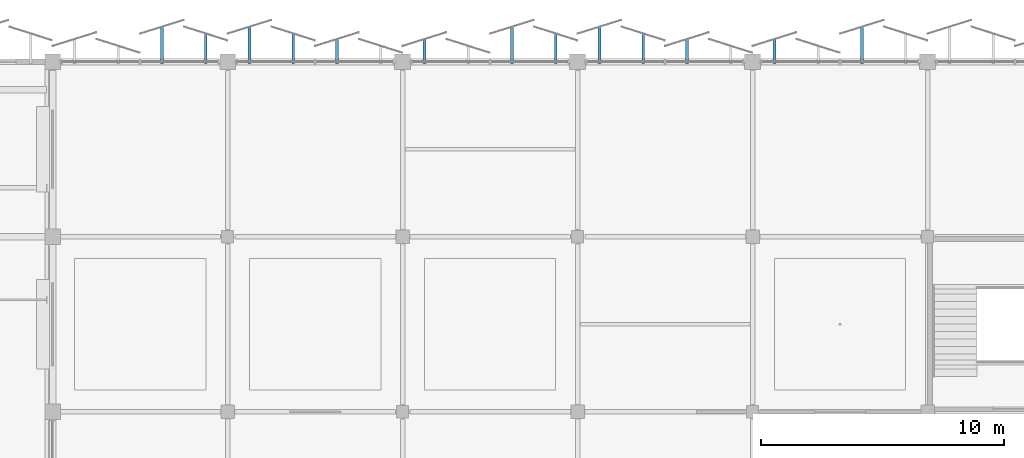
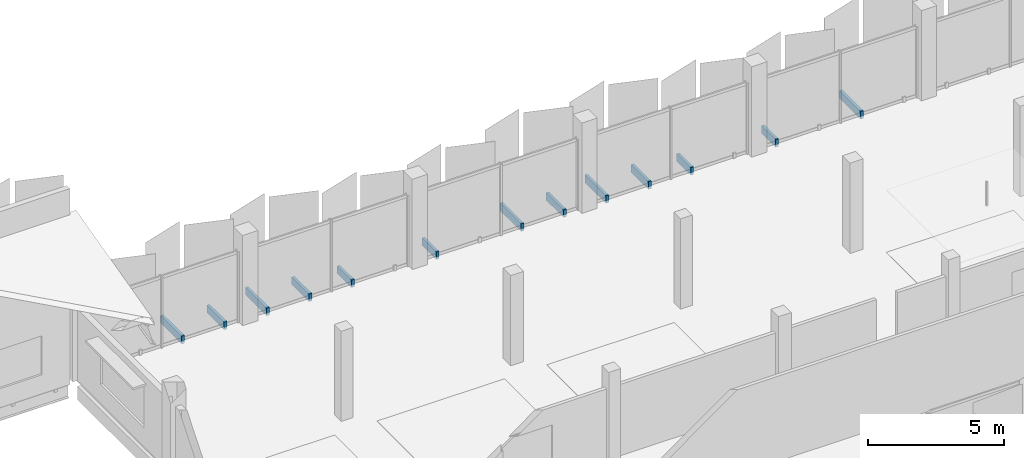
# One storey, part 98 of 108: 13 discrete accessories.
"""IFC4 building model written with IfcOpenShell, lengths in metres."""

from ifc_helpers import new_model, si_unit, direction, frame, origin, origin_2d, place, context, subcontext, project, spatial, rectangle, extrude, material, type_object, element, save


model = new_model("IFC4")

# Units and contexts
model_context = context("Model", 3, precision=1e-05, world=origin(), true_north=direction((0.0, 1.0)))
body_context = subcontext(model_context, "Body", "Model", "MODEL_VIEW")
ifc_project = project(units=[si_unit("LENGTHUNIT", "METRE"), si_unit("AREAUNIT", "SQUARE_METRE"), si_unit("VOLUMEUNIT", "CUBIC_METRE"), si_unit("PLANEANGLEUNIT", "RADIAN"), si_unit("MASSUNIT", "GRAM", prefix="KILO")], contexts=[model_context])

# Site, building, storey
site_placement = place(None, origin())
site = spatial("IfcSite", under=ifc_project, at=site_placement, CompositionType="ELEMENT")
building_placement = place(site_placement, origin())
building = spatial("IfcBuilding", under=site, at=building_placement, Name="Kangsadwip Square Police Headquarters", CompositionType="ELEMENT")
storey_placement = place(building_placement, frame((0.0, 0.0, 9.449951171875)))
storey = spatial("IfcBuildingStorey", under=building, at=storey_placement, Name="L02", CompositionType="ELEMENT", Elevation=9.449951171875)

# Discrete accessories
ifc_material = material(Name="Structural steel IS 2062 E350 (Grade 350, 350 MPa)", Category="steel")
discrete_accessory_type = type_object("IfcDiscreteAccessoryType", Name="VeilOutriggerBracket", PredefinedType="BRACKET", material=ifc_material)
discrete_accessory_1_placement = place(storey_placement, frame((98.10009765625, 115.897216796875, -0.10986328125), z_axis=(0.0, 0.0, 1.0), x_axis=(1.0, 0.0, 0.0)))
element("IfcDiscreteAccessory", 1, at=discrete_accessory_1_placement, inside=storey, type_object=discrete_accessory_type, Name="Veil Outrigger Bracket VBK-L02-0087", PredefinedType="BRACKET", context=body_context, shape_type="SweptSolid", body=[
    extrude(rectangle(XDim=0.1201171875, YDim=1.5546875, at=origin_2d()), origin(), (0.0, 0.0, 1.0), 0.340087890625),
])
discrete_accessory_2_placement = place(storey_placement, frame((99.89990234375, 115.75732421875, -0.10986328125), z_axis=(0.0, 0.0, 1.0), x_axis=(1.0, 0.0, 0.0)))
element("IfcDiscreteAccessory", 2, at=discrete_accessory_2_placement, inside=storey, type_object=discrete_accessory_type, Name="Veil Outrigger Bracket VBK-L02-0088", PredefinedType="BRACKET", context=body_context, shape_type="SweptSolid", body=[
    extrude(rectangle(XDim=0.1201171875, YDim=1.274658203125, at=origin_2d()), origin(), (0.0, 0.0, 1.0), 0.340087890625),
])
discrete_accessory_3_placement = place(storey_placement, frame((101.699951171875, 115.897216796875, -0.10986328125), z_axis=(0.0, 0.0, 1.0), x_axis=(1.0, 0.0, 0.0)))
element("IfcDiscreteAccessory", 3, at=discrete_accessory_3_placement, inside=storey, type_object=discrete_accessory_type, Name="Veil Outrigger Bracket VBK-L02-0089", PredefinedType="BRACKET", context=body_context, shape_type="SweptSolid", body=[
    extrude(rectangle(XDim=0.1201171875, YDim=1.5546875, at=origin_2d()), origin(), (0.0, 0.0, 1.0), 0.340087890625),
])
discrete_accessory_4_placement = place(storey_placement, frame((103.5, 115.75732421875, -0.10986328125), z_axis=(0.0, 0.0, 1.0), x_axis=(1.0, 0.0, 0.0)))
element("IfcDiscreteAccessory", 4, at=discrete_accessory_4_placement, inside=storey, type_object=discrete_accessory_type, Name="Veil Outrigger Bracket VBK-L02-0090", PredefinedType="BRACKET", context=body_context, shape_type="SweptSolid", body=[
    extrude(rectangle(XDim=0.1201171875, YDim=1.274658203125, at=origin_2d()), origin(), (0.0, 0.0, 1.0), 0.340087890625),
])
for number, where, z_axis, x_axis, name in (
    (5, (105.300048828125, 115.642578125, -0.10986328125), (0.0, 0.0, 1.0), (1.0, 0.0, 0.0), "Veil Outrigger Bracket VBK-L02-0091"),
    (6, (108.89990234375, 115.642578125, -0.10986328125), (0.0, 0.0, 1.0), (1.0, 0.0, 0.0), "Veil Outrigger Bracket VBK-L02-0093"),
):
    element("IfcDiscreteAccessory", number, at=place(storey_placement, frame(where, z_axis=z_axis, x_axis=x_axis)), inside=storey, type_object=discrete_accessory_type, Name=name, PredefinedType="BRACKET", context=body_context, shape_type="SweptSolid", body=[
        extrude(rectangle(XDim=0.1201171875, YDim=1.04541015625, at=origin_2d()), origin(), (0.0, 0.0, 1.0), 0.340087890625),
    ])
discrete_accessory_5_placement = place(storey_placement, frame((112.5, 115.897216796875, -0.10986328125), z_axis=(0.0, 0.0, 1.0), x_axis=(1.0, 0.0, 0.0)))
element("IfcDiscreteAccessory", 7, at=discrete_accessory_5_placement, inside=storey, type_object=discrete_accessory_type, Name="Veil Outrigger Bracket VBK-L02-0095", PredefinedType="BRACKET", context=body_context, shape_type="SweptSolid", body=[
    extrude(rectangle(XDim=0.1201171875, YDim=1.5546875, at=origin_2d()), origin(), (0.0, 0.0, 1.0), 0.340087890625),
])
discrete_accessory_6_placement = place(storey_placement, frame((114.300048828125, 115.75732421875, -0.10986328125), z_axis=(0.0, 0.0, 1.0), x_axis=(1.0, 0.0, 0.0)))
element("IfcDiscreteAccessory", 8, at=discrete_accessory_6_placement, inside=storey, type_object=discrete_accessory_type, Name="Veil Outrigger Bracket VBK-L02-0096", PredefinedType="BRACKET", context=body_context, shape_type="SweptSolid", body=[
    extrude(rectangle(XDim=0.1201171875, YDim=1.274658203125, at=origin_2d()), origin(), (0.0, 0.0, 1.0), 0.340087890625),
])
discrete_accessory_7_placement = place(storey_placement, frame((116.10009765625, 115.897216796875, -0.10986328125), z_axis=(0.0, 0.0, 1.0), x_axis=(1.0, 0.0, 0.0)))
element("IfcDiscreteAccessory", 9, at=discrete_accessory_7_placement, inside=storey, type_object=discrete_accessory_type, Name="Veil Outrigger Bracket VBK-L02-0097", PredefinedType="BRACKET", context=body_context, shape_type="SweptSolid", body=[
    extrude(rectangle(XDim=0.1201171875, YDim=1.5546875, at=origin_2d()), origin(), (0.0, 0.0, 1.0), 0.340087890625),
])
discrete_accessory_8_placement = place(storey_placement, frame((117.89990234375, 115.75732421875, -0.10986328125), z_axis=(0.0, 0.0, 1.0), x_axis=(1.0, 0.0, 0.0)))
element("IfcDiscreteAccessory", 10, at=discrete_accessory_8_placement, inside=storey, type_object=discrete_accessory_type, Name="Veil Outrigger Bracket VBK-L02-0098", PredefinedType="BRACKET", context=body_context, shape_type="SweptSolid", body=[
    extrude(rectangle(XDim=0.1201171875, YDim=1.274658203125, at=origin_2d()), origin(), (0.0, 0.0, 1.0), 0.340087890625),
])
for number, where, z_axis, x_axis, name in (
    (11, (119.699951171875, 115.642578125, -0.10986328125), (0.0, 0.0, 1.0), (1.0, 0.0, 0.0), "Veil Outrigger Bracket VBK-L02-0099"),
    (12, (123.300048828125, 115.642578125, -0.10986328125), (0.0, 0.0, 1.0), (1.0, 0.0, 0.0), "Veil Outrigger Bracket VBK-L02-0101"),
):
    element("IfcDiscreteAccessory", number, at=place(storey_placement, frame(where, z_axis=z_axis, x_axis=x_axis)), inside=storey, type_object=discrete_accessory_type, Name=name, PredefinedType="BRACKET", context=body_context, shape_type="SweptSolid", body=[
        extrude(rectangle(XDim=0.1201171875, YDim=1.04541015625, at=origin_2d()), origin(), (0.0, 0.0, 1.0), 0.340087890625),
    ])
discrete_accessory_9_placement = place(storey_placement, frame((126.89990234375, 115.897216796875, -0.10986328125), z_axis=(0.0, 0.0, 1.0), x_axis=(1.0, 0.0, 0.0)))
element("IfcDiscreteAccessory", 13, at=discrete_accessory_9_placement, inside=storey, type_object=discrete_accessory_type, Name="Veil Outrigger Bracket VBK-L02-0103", PredefinedType="BRACKET", context=body_context, shape_type="SweptSolid", body=[
    extrude(rectangle(XDim=0.1201171875, YDim=1.5546875, at=origin_2d()), origin(), (0.0, 0.0, 1.0), 0.340087890625),
])

save(model, "model.ifc")
